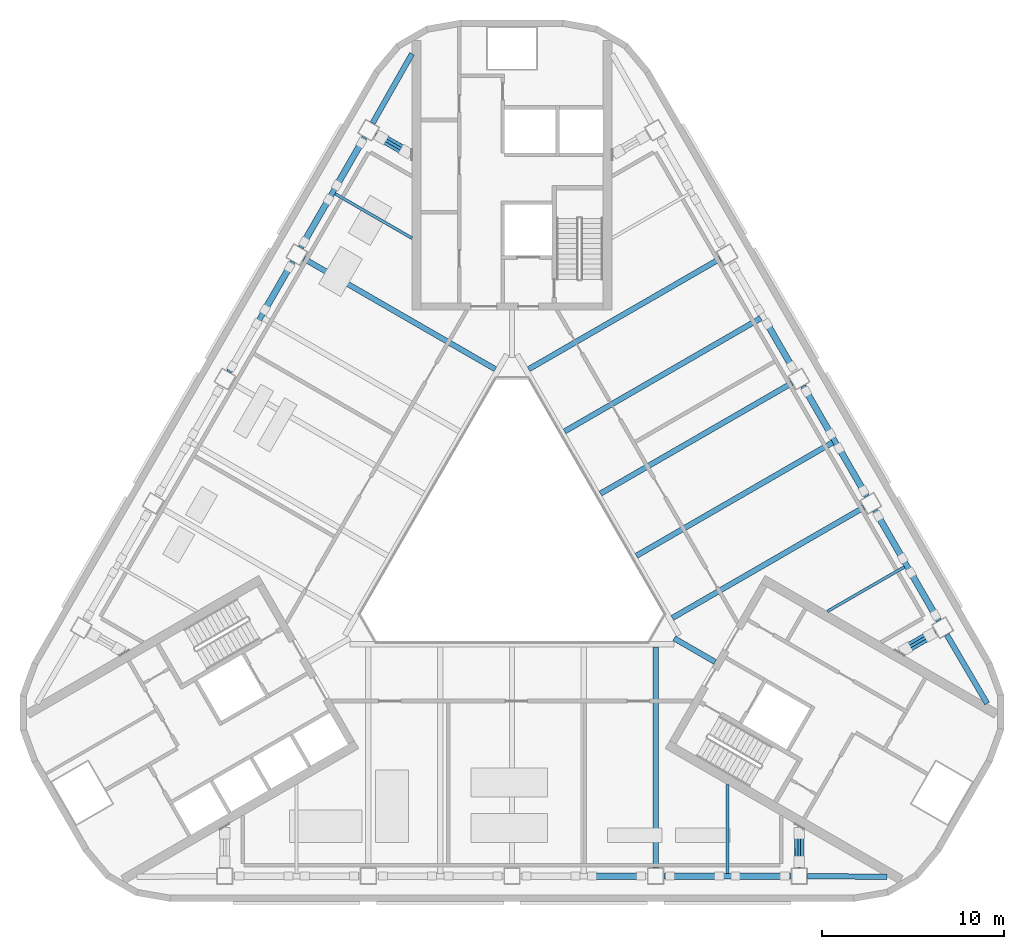
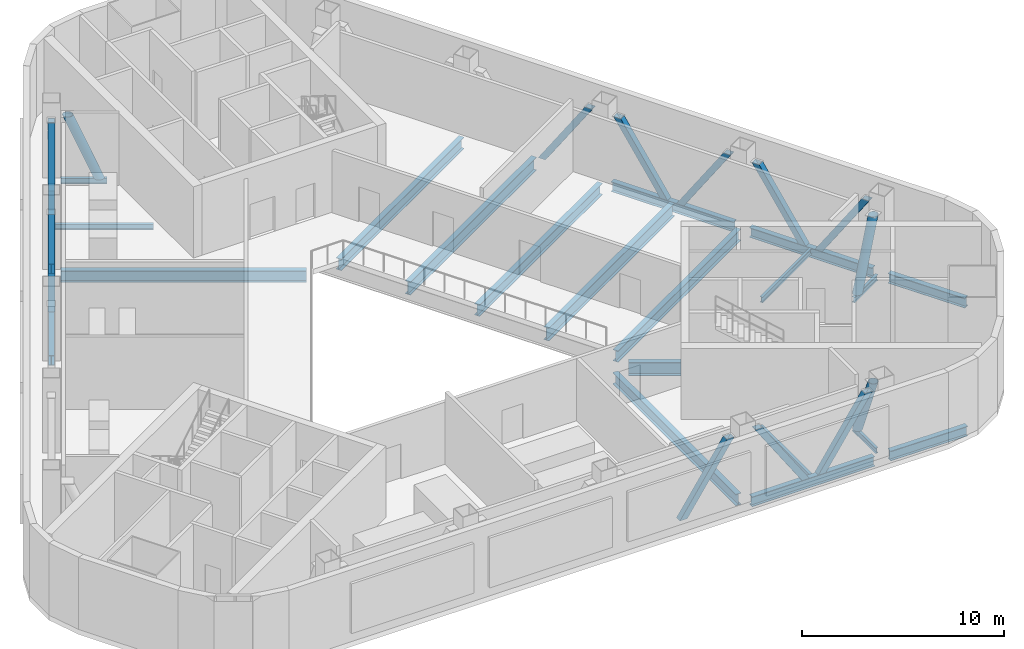
# One storey, part 2 of 14: 22 beams, 14 members.
"""IFC4 building model written with IfcOpenShell, lengths in metres."""

from ifc_helpers import new_model, si_unit, direction, frame, origin, origin_2d, place, context, subcontext, project, spatial, hollow_rectangle, hollow_circle, i_section, extrude, boolean, halfspace, material, material_profile, profile_set, type_object, element, save


model = new_model("IFC4")

# Units and contexts
model_context = context("Model", 3, precision=1e-05, world=origin(), true_north=direction((0.0, 1.0)))
body_context = subcontext(model_context, "Body", "Model", "MODEL_VIEW")
ifc_project = project(units=[si_unit("LENGTHUNIT", "METRE"), si_unit("AREAUNIT", "SQUARE_METRE"), si_unit("VOLUMEUNIT", "CUBIC_METRE"), si_unit("PLANEANGLEUNIT", "RADIAN"), si_unit("MASSUNIT", "GRAM", prefix="KILO")], contexts=[model_context])

# Site, building, storey
site_placement = place(None, origin())
site = spatial("IfcSite", under=ifc_project, at=site_placement, CompositionType="ELEMENT")
building_placement = place(site_placement, origin())
building = spatial("IfcBuilding", under=site, at=building_placement, Name="Apuvela Tower Hotel", CompositionType="ELEMENT")
storey_placement = place(building_placement, frame((0.0, 0.0, 142.10009765625)))
storey = spatial("IfcBuildingStorey", under=building, at=storey_placement, Name="L33 Plant", CompositionType="ELEMENT", Elevation=142.10009765625)

# Beams
ifc_material = material(Name="Steel S355", Category="steel")
ifc_material_profile_1 = material_profile(ifc_material, i_section(OverallWidth=0.300048828125, OverallDepth=0.68994140625, WebThickness=0.014404296875, FlangeThickness=0.027099609375, at=origin_2d()), Name="HE 700 A")
ifc_profile_set_1 = profile_set([ifc_material_profile_1], Name="Steel S355")
beam_type_1 = type_object("IfcBeamType", Name="STR-B floor beam HE 700 A", PredefinedType="BEAM", material=ifc_profile_set_1)
for number, where, z_axis, x_axis, name in (
    (1, (19.347900390625, 2.04833984375, -0.64501953125), (-0.866028751965, -0.499994200737, 0.0), (0.499994200737, -0.866028751965, 0.0), "Floor beam B6 NE3"),
    (2, (15.39794921875, 8.889892578125, -0.64501953125), (-0.866028751965, -0.499994200737, 0.0), (0.499994200737, -0.866028751965, 0.0), "Floor beam B6 NE5"),
):
    element("IfcBeam", number, at=place(storey_placement, frame(where, z_axis=z_axis, x_axis=x_axis)), inside=storey, type_object=beam_type_1, Name=name, PredefinedType="BEAM", context=body_context, shape_type="SweptSolid", body=[
        extrude(i_section(OverallWidth=0.300048828125, OverallDepth=0.68994140625, WebThickness=0.014404296875, FlangeThickness=0.027099609375, at=origin_2d()), origin(), (0.0, 0.0, 1.0), 12.157958984375),
    ])
for number, where, z_axis, x_axis, name in (
    (3, (11.447998046875, 15.731689453125, -0.64501953125), (-0.866025076934, -0.500000566121, 0.0), (0.500000566121, -0.866025076934, 0.0), "Floor beam B6 NE7"),
    (4, (-11.447998046875, 15.731689453125, -0.64501953125), (0.866025076934, -0.500000566121, 0.0), (0.500000566121, 0.866025076934, 0.0), "Floor beam B6 NW3"),
):
    element("IfcBeam", number, at=place(storey_placement, frame(where, z_axis=z_axis, x_axis=x_axis)), inside=storey, type_object=beam_type_1, Name=name, PredefinedType="BEAM", context=body_context, shape_type="SweptSolid", body=[
        extrude(i_section(OverallWidth=0.300048828125, OverallDepth=0.68994140625, WebThickness=0.014404296875, FlangeThickness=0.027099609375, at=origin_2d()), origin(), (0.0, 0.0, 1.0), 12.158203125),
    ])
beam_1_placement = place(storey_placement, frame((7.89990234375, -17.780029296875, -0.64501953125), z_axis=(0.0, 1.0, 0.0), x_axis=(-1.0, 0.0, 0.0)))
element("IfcBeam", 5, at=beam_1_placement, inside=storey, type_object=beam_type_1, Name="Floor beam B6 S7", PredefinedType="BEAM", context=body_context, shape_type="SweptSolid", body=[
    extrude(i_section(OverallWidth=0.300048828125, OverallDepth=0.68994140625, WebThickness=0.014404296875, FlangeThickness=0.027099609375, at=origin_2d()), origin(), (0.0, 0.0, 1.0), 12.157958984375),
])
ifc_material_profile_2 = material_profile(ifc_material, i_section(OverallWidth=0.300048828125, OverallDepth=0.7900390625, WebThickness=0.014892578125, FlangeThickness=0.028076171875, at=origin_2d()), Name="HE 800 A")
ifc_profile_set_2 = profile_set([ifc_material_profile_2], Name="Steel S355")
beam_type_2 = type_object("IfcBeamType", Name="STR-B floor beam HE 800 A", PredefinedType="BEAM", material=ifc_profile_set_2)
for number, where, z_axis, x_axis, name in (
    (6, (17.6328125, 5.619140625, -0.695068359375), (-0.866027636335, -0.499996133089, 0.0), (0.499996133089, -0.866027636335, 0.0), "Floor beam B5 NE4"),
    (7, (13.6826171875, 12.460693359375, -0.695068359375), (-0.866022737053, -0.500004618886, 0.0), (0.500004618886, -0.866022737053, 0.0), "Floor beam B5 NE6"),
):
    element("IfcBeam", number, at=place(storey_placement, frame(where, z_axis=z_axis, x_axis=x_axis)), inside=storey, type_object=beam_type_2, Name=name, PredefinedType="BEAM", context=body_context, shape_type="SweptSolid", body=[
        extrude(i_section(OverallWidth=0.300048828125, OverallDepth=0.7900390625, WebThickness=0.014892578125, FlangeThickness=0.028076171875, at=origin_2d()), origin(), (0.0, 0.0, 1.0), 12.4580078125),
    ])
ifc_material_profile_3 = material_profile(ifc_material, i_section(OverallWidth=0.159912109375, OverallDepth=0.330078125, WebThickness=0.007568359375, FlangeThickness=0.011474609375, at=origin_2d()), Name="IPE 330")
ifc_profile_set_3 = profile_set([ifc_material_profile_3], Name="Steel S355")
beam_type_3 = type_object("IfcBeamType", Name="STR-B floor beam IPE 330", PredefinedType="BEAM", material=ifc_profile_set_3)
beam_2_placement = place(storey_placement, frame((23.2978515625, -4.793212890625, -0.465087890625), z_axis=(-0.866000531106, -0.500043078269, 0.0), x_axis=(0.500043078269, -0.866000531106, 0.0)))
element("IfcBeam", 8, at=beam_2_placement, inside=storey, type_object=beam_type_3, Name="Floor beam B1 NE1", PredefinedType="BEAM", context=body_context, shape_type="SweptSolid", body=[
    extrude(i_section(OverallWidth=0.159912109375, OverallDepth=0.330078125, WebThickness=0.007568359375, FlangeThickness=0.011474609375, at=origin_2d()), origin(), (0.0, 0.0, 1.0), 2.306884765625),
])
beam_3_placement = place(storey_placement, frame((21.582763671875, -1.222412109375, -0.465087890625), z_axis=(-0.866015056278, -0.500017921979, 0.0), x_axis=(0.500017921979, -0.866015056278, 0.0)))
element("IfcBeam", 9, at=beam_3_placement, inside=storey, type_object=beam_type_3, Name="Floor beam B1 NE2", PredefinedType="BEAM", context=body_context, shape_type="SweptSolid", body=[
    extrude(i_section(OverallWidth=0.159912109375, OverallDepth=0.330078125, WebThickness=0.007568359375, FlangeThickness=0.011474609375, at=origin_2d()), origin(), (0.0, 0.0, 1.0), 4.887451171875),
])
beam_4_placement = place(storey_placement, frame((-7.497802734375, 22.5732421875, -0.465087890625), z_axis=(0.866000531106, -0.500043078269, 0.0), x_axis=(0.500043078269, 0.866000531106, 0.0)))
element("IfcBeam", 10, at=beam_4_placement, inside=storey, type_object=beam_type_3, Name="Floor beam B1 NW1", PredefinedType="BEAM", context=body_context, shape_type="SweptSolid", body=[
    extrude(i_section(OverallWidth=0.159912109375, OverallDepth=0.330078125, WebThickness=0.007568359375, FlangeThickness=0.011474609375, at=origin_2d()), origin(), (0.0, 0.0, 1.0), 2.306884765625),
])
beam_5_placement = place(storey_placement, frame((-9.732666015625, 19.302490234375, -0.465087890625), z_axis=(0.866015056278, -0.500017921979, 0.0), x_axis=(0.500017921979, 0.866015056278, 0.0)))
element("IfcBeam", 11, at=beam_5_placement, inside=storey, type_object=beam_type_3, Name="Floor beam B1 NW2", PredefinedType="BEAM", context=body_context, shape_type="SweptSolid", body=[
    extrude(i_section(OverallWidth=0.159912109375, OverallDepth=0.330078125, WebThickness=0.007568359375, FlangeThickness=0.011474609375, at=origin_2d()), origin(), (0.0, 0.0, 1.0), 4.887451171875),
])
beam_6_placement = place(storey_placement, frame((11.85009765625, -18.080078125, -0.465087890625), z_axis=(0.0, 1.0, 0.0), x_axis=(-1.0, 0.0, 0.0)))
element("IfcBeam", 12, at=beam_6_placement, inside=storey, type_object=beam_type_3, Name="Floor beam B1 S8", PredefinedType="BEAM", context=body_context, shape_type="SweptSolid", body=[
    extrude(i_section(OverallWidth=0.159912109375, OverallDepth=0.330078125, WebThickness=0.007568359375, FlangeThickness=0.011474609375, at=origin_2d()), origin(), (0.0, 0.0, 1.0), 4.8876953125),
])
beam_7_placement = place(storey_placement, frame((15.800048828125, -17.780029296875, -0.465087890625), z_axis=(0.0, 1.0, 0.0), x_axis=(-1.0, 0.0, 0.0)))
element("IfcBeam", 13, at=beam_7_placement, inside=storey, type_object=beam_type_3, Name="Floor beam B1 S9", PredefinedType="BEAM", context=body_context, shape_type="SweptSolid", body=[
    extrude(i_section(OverallWidth=0.159912109375, OverallDepth=0.330078125, WebThickness=0.007568359375, FlangeThickness=0.011474609375, at=origin_2d()), origin(), (0.0, 0.0, 1.0), 2.30712890625),
])
ifc_material_profile_4 = material_profile(ifc_material, i_section(OverallWidth=0.300048828125, OverallDepth=0.800048828125, WebThickness=0.017578125, FlangeThickness=0.032958984375, at=origin_2d()), Name="HE 800 B")
ifc_profile_set_4 = profile_set([ifc_material_profile_4], Name="Steel S355")
beam_type_4 = type_object("IfcBeamType", Name="STR-GT core tie beam HE 800 B", PredefinedType="BEAM", material=ifc_profile_set_4)
beam_8_placement = place(storey_placement, frame((11.171630859375, -6.449951171875, -0.7001953125), z_axis=(-0.865997922154, 0.500047596559, 0.0), x_axis=(-0.500047596559, -0.865997922154, 0.0)))
element("IfcBeam", 14, at=beam_8_placement, inside=storey, type_object=beam_type_4, Name="Core tie beam GT1 SE", PredefinedType="BEAM", context=body_context, shape_type="SweptSolid", body=[
    extrude(i_section(OverallWidth=0.300048828125, OverallDepth=0.800048828125, WebThickness=0.017578125, FlangeThickness=0.032958984375, at=origin_2d()), origin(), (0.0, 0.0, 1.0), 2.599853515625),
])
ifc_material_profile_5 = material_profile(ifc_material, i_section(OverallWidth=0.300048828125, OverallDepth=0.590087890625, WebThickness=0.012939453125, FlangeThickness=0.02490234375, at=origin_2d()), Name="HE 600 A")
ifc_profile_set_5 = profile_set([ifc_material_profile_5], Name="Steel S355")
beam_type_5 = type_object("IfcBeamType", Name="STR-SB spandrel beam HE 600 A", PredefinedType="SPANDREL", material=ifc_profile_set_5)
for number, where, z_axis, x_axis, name in (
    (15, (8.35009765625, -18.22998046875, -0.59521484375), (1.0, 0.0, 0.0), (0.0, 1.0, 0.0), "Spandrel beam SB2 S4"),
    (16, (23.462646484375, -4.178466796875, -0.59521484375), (-0.499995173006, 0.866028190633, 0.0), (-0.866028190633, -0.499995173006, 0.0), "Spandrel beam SB2 NE1"),
    (17, (19.5126953125, 2.6630859375, -0.59521484375), (-0.499995173006, 0.866028190633, 0.0), (-0.866028190633, -0.499995173006, 0.0), "Spandrel beam SB2 NE2"),
    (18, (-8.112548828125, 22.408447265625, -0.59521484375), (-0.499995173006, -0.866028190633, 0.0), (0.866028190633, -0.499995173006, 0.0), "Spandrel beam SB2 NW1"),
    (19, (-12.0625, 15.56689453125, -0.59521484375), (-0.499995173006, -0.866028190633, 0.0), (0.866028190633, -0.499995173006, 0.0), "Spandrel beam SB2 NW2"),
):
    element("IfcBeam", number, at=place(storey_placement, frame(where, z_axis=z_axis, x_axis=x_axis)), inside=storey, type_object=beam_type_5, Name=name, PredefinedType="SPANDREL", context=body_context, shape_type="SweptSolid", body=[
        extrude(i_section(OverallWidth=0.300048828125, OverallDepth=0.590087890625, WebThickness=0.012939453125, FlangeThickness=0.02490234375, at=origin_2d()), origin(), (0.0, 0.0, 1.0), 7.0),
    ])
for number, where, z_axis, x_axis, name in (
    (20, (16.25, -18.233154296875, -0.59521484375), (0.999976528586, -0.006851443461, 0.0), (0.006851443461, 0.999976528586, 0.0), "Spandrel beam SB2 S5-SE"),
    (21, (23.915283203125, -4.956298828125, -0.59521484375), (0.505951068275, -0.862562181244, 0.0), (0.862562181244, 0.505951068275, 0.0), "Spandrel beam SB2 NE1-SE"),
    (22, (-7.665283203125, 23.189453125, -0.59521484375), (0.494043860968, 0.869436980718, 0.0), (-0.869436980718, 0.494043860968, 0.0), "Spandrel beam SB2 NW1-N"),
):
    element("IfcBeam", number, at=place(storey_placement, frame(where, z_axis=z_axis, x_axis=x_axis)), inside=storey, type_object=beam_type_5, Name=name, PredefinedType="SPANDREL", context=body_context, shape_type="SweptSolid", body=[
        extrude(i_section(OverallWidth=0.300048828125, OverallDepth=0.590087890625, WebThickness=0.012939453125, FlangeThickness=0.02490234375, at=origin_2d()), origin(), (0.0, 0.0, 1.0), 4.3828125),
    ])

# Members
ifc_material_profile_6 = material_profile(ifc_material, hollow_rectangle(XDim=0.35009765625, YDim=0.35009765625, WallThickness=0.01611328125, at=origin_2d()), Name="SHS 350x350x16")
ifc_profile_set_6 = profile_set([ifc_material_profile_6], Name="Steel S355")
member_type_1 = type_object("IfcMemberType", Name="STR-T1 belt truss diagonal SHS 350x350x16", PredefinedType="BRACE", material=ifc_profile_set_6)
member_1_placement = place(storey_placement, frame((4.39990234375, -18.22998046875, -0.300048828125), z_axis=(0.556626653122, 0.0, 0.830762763389), x_axis=(-0.830762763389, 0.0, 0.556626653122)))
solid_1 = boolean("DIFFERENCE", boolean("DIFFERENCE", extrude(hollow_rectangle(XDim=0.35009765625, YDim=0.35009765625, WallThickness=0.01611328125, at=origin_2d()), frame((0.0, 0.0, -0.2373046875)), (0.0, 0.0, 1.0), 5.325439453125), halfspace(frame((0.0, 0.0, 0.02392578125), z_axis=(0.556626653122, 0.0, 0.830762763389), x_axis=(0.830762763389, 0.0, -0.556626653122)), True)), halfspace(frame((0.0, 0.0, 4.826904296875), z_axis=(0.556626653122, 0.0, 0.830762763389), x_axis=(0.830762763389, 0.0, -0.556626653122)), False))
element("IfcMember", 23, at=member_1_placement, inside=storey, type_object=member_type_1, Name="Belt truss diagonal BR2 S3", PredefinedType="BRACE", context=body_context, shape_type="SweptSolid", body=[
    boolean("UNION", boolean("DIFFERENCE", boolean("DIFFERENCE", extrude(hollow_rectangle(XDim=0.35009765625, YDim=0.35009765625, WallThickness=0.01611328125, at=origin_2d()), origin(), (0.0, 0.0, 1.0), 4.85107421875), halfspace(frame((0.0, 0.0, 0.02392578125), z_axis=(0.556626653122, 0.0, 0.830762763389), x_axis=(0.830762763389, 0.0, -0.556626653122)), True)), halfspace(frame((0.0, 0.0, 4.826904296875), z_axis=(0.556626653122, 0.0, 0.830762763389), x_axis=(0.830762763389, 0.0, -0.556626653122)), False)), solid_1),
])
member_2_placement = place(storey_placement, frame((11.39990234375, -18.22998046875, -0.300048828125), z_axis=(-0.556591917013, 0.0, 0.830786036182), x_axis=(0.830786036182, 0.0, 0.556591917013)))
solid_2 = boolean("DIFFERENCE", boolean("DIFFERENCE", extrude(hollow_rectangle(XDim=0.35009765625, YDim=0.35009765625, WallThickness=0.01611328125, at=origin_2d()), frame((0.0, 0.0, -0.2373046875)), (0.0, 0.0, 1.0), 5.3251953125), halfspace(frame((0.0, 0.0, 0.02392578125), z_axis=(0.556591917013, 0.0, 0.830786036182), x_axis=(0.830786036182, 0.0, -0.556591917013)), True)), halfspace(frame((0.0, 0.0, 4.82666015625), z_axis=(0.556591917013, 0.0, 0.830786036182), x_axis=(0.830786036182, 0.0, -0.556591917013)), False))
element("IfcMember", 24, at=member_2_placement, inside=storey, type_object=member_type_1, Name="Belt truss diagonal BR2 S4", PredefinedType="BRACE", context=body_context, shape_type="SweptSolid", body=[
    boolean("UNION", boolean("DIFFERENCE", boolean("DIFFERENCE", extrude(hollow_rectangle(XDim=0.35009765625, YDim=0.35009765625, WallThickness=0.01611328125, at=origin_2d()), origin(), (0.0, 0.0, 1.0), 4.850830078125), halfspace(frame((0.0, 0.0, 0.02392578125), z_axis=(0.556591917013, 0.0, 0.830786036182), x_axis=(0.830786036182, 0.0, -0.556591917013)), True)), halfspace(frame((0.0, 0.0, 4.82666015625), z_axis=(0.556591917013, 0.0, 0.830786036182), x_axis=(0.830786036182, 0.0, -0.556591917013)), False)), solid_2),
])
member_3_placement = place(storey_placement, frame((12.300048828125, -18.22998046875, -0.300048828125), z_axis=(0.556591917013, 0.0, 0.830786036182), x_axis=(-0.830786036182, 0.0, 0.556591917013)))
solid_3 = boolean("DIFFERENCE", boolean("DIFFERENCE", extrude(hollow_rectangle(XDim=0.35009765625, YDim=0.35009765625, WallThickness=0.01611328125, at=origin_2d()), frame((0.0, 0.0, -0.2373046875)), (0.0, 0.0, 1.0), 5.3251953125), halfspace(frame((0.0, 0.0, 0.02392578125), z_axis=(0.556591917013, 0.0, 0.830786036182), x_axis=(0.830786036182, 0.0, -0.556591917013)), True)), halfspace(frame((0.0, 0.0, 4.82666015625), z_axis=(0.556591917013, 0.0, 0.830786036182), x_axis=(0.830786036182, 0.0, -0.556591917013)), False))
element("IfcMember", 25, at=member_3_placement, inside=storey, type_object=member_type_1, Name="Belt truss diagonal BR2 S4", PredefinedType="BRACE", context=body_context, shape_type="SweptSolid", body=[
    boolean("UNION", boolean("DIFFERENCE", boolean("DIFFERENCE", extrude(hollow_rectangle(XDim=0.35009765625, YDim=0.35009765625, WallThickness=0.01611328125, at=origin_2d()), origin(), (0.0, 0.0, 1.0), 4.850830078125), halfspace(frame((0.0, 0.0, 0.02392578125), z_axis=(0.556591917013, 0.0, 0.830786036182), x_axis=(0.830786036182, 0.0, -0.556591917013)), True)), halfspace(frame((0.0, 0.0, 4.82666015625), z_axis=(0.556591917013, 0.0, 0.830786036182), x_axis=(0.830786036182, 0.0, -0.556591917013)), False)), solid_3),
])
member_4_placement = place(storey_placement, frame((21.9375, -1.537109375, -0.300048828125), z_axis=(0.278314953575, -0.48204351272, 0.830767620012), x_axis=(-0.415391647684, 0.71946133843, 0.556619404566)))
solid_4 = boolean("DIFFERENCE", boolean("DIFFERENCE", extrude(hollow_rectangle(XDim=0.35009765625, YDim=0.35009765625, WallThickness=0.01611328125, at=origin_2d()), frame((0.0, 0.0, -0.2373046875)), (0.0, 0.0, 1.0), 5.325439453125), halfspace(frame((0.0, 0.0, 0.02392578125), z_axis=(0.556619404566, 0.0, 0.830767620012), x_axis=(0.830767620012, 0.0, -0.556619404566)), True)), halfspace(frame((0.0, 0.0, 4.826904296875), z_axis=(0.556619404566, 0.0, 0.830767620012), x_axis=(0.830767620012, 0.0, -0.556619404566)), False))
element("IfcMember", 26, at=member_4_placement, inside=storey, type_object=member_type_1, Name="Belt truss diagonal BR2 NE1", PredefinedType="BRACE", context=body_context, shape_type="SweptSolid", body=[
    boolean("UNION", boolean("DIFFERENCE", boolean("DIFFERENCE", extrude(hollow_rectangle(XDim=0.35009765625, YDim=0.35009765625, WallThickness=0.01611328125, at=origin_2d()), origin(), (0.0, 0.0, 1.0), 4.85107421875), halfspace(frame((0.0, 0.0, 0.02392578125), z_axis=(0.556619404566, 0.0, 0.830767620012), x_axis=(0.830767620012, 0.0, -0.556619404566)), True)), halfspace(frame((0.0, 0.0, 4.826904296875), z_axis=(0.556619404566, 0.0, 0.830767620012), x_axis=(0.830767620012, 0.0, -0.556619404566)), False)), solid_4),
])
member_5_placement = place(storey_placement, frame((21.487548828125, -0.7578125, -0.300048828125), z_axis=(-0.278268522781, 0.482050264279, 0.830779255842), x_axis=(0.415341124785, -0.719503941615, 0.556602037422)))
solid_5 = boolean("DIFFERENCE", boolean("DIFFERENCE", extrude(hollow_rectangle(XDim=0.35009765625, YDim=0.35009765625, WallThickness=0.01611328125, at=origin_2d()), frame((0.0, 0.0, -0.2373046875)), (0.0, 0.0, 1.0), 5.3251953125), halfspace(frame((0.0, 0.0, 0.02392578125), z_axis=(0.556602037422, 0.0, 0.830779255842), x_axis=(0.830779255842, 0.0, -0.556602037422)), True)), halfspace(frame((0.0, 0.0, 4.82666015625), z_axis=(0.556602037422, 0.0, 0.830779255842), x_axis=(0.830779255842, 0.0, -0.556602037422)), False))
element("IfcMember", 27, at=member_5_placement, inside=storey, type_object=member_type_1, Name="Belt truss diagonal BR2 NE1", PredefinedType="BRACE", context=body_context, shape_type="SweptSolid", body=[
    boolean("UNION", boolean("DIFFERENCE", boolean("DIFFERENCE", extrude(hollow_rectangle(XDim=0.35009765625, YDim=0.35009765625, WallThickness=0.01611328125, at=origin_2d()), origin(), (0.0, 0.0, 1.0), 4.850830078125), halfspace(frame((0.0, 0.0, 0.02392578125), z_axis=(0.556602037422, 0.0, 0.830779255842), x_axis=(0.830779255842, 0.0, -0.556602037422)), True)), halfspace(frame((0.0, 0.0, 4.82666015625), z_axis=(0.556602037422, 0.0, 0.830779255842), x_axis=(0.830779255842, 0.0, -0.556602037422)), False)), solid_5),
])
member_6_placement = place(storey_placement, frame((17.987548828125, 5.304443359375, -0.300048828125), z_axis=(0.278321705496, -0.482004877673, 0.830787774434), x_axis=(-0.415434254601, 0.719460010183, 0.556589322437)))
solid_6 = boolean("DIFFERENCE", boolean("DIFFERENCE", extrude(hollow_rectangle(XDim=0.35009765625, YDim=0.35009765625, WallThickness=0.01611328125, at=origin_2d()), frame((0.0, 0.0, -0.2373046875)), (0.0, 0.0, 1.0), 5.3251953125), halfspace(frame((0.0, 0.0, 0.02392578125), z_axis=(0.556589322437, 0.0, 0.830787774434), x_axis=(0.830787774434, 0.0, -0.556589322437)), True)), halfspace(frame((0.0, 0.0, 4.82666015625), z_axis=(0.556589322437, 0.0, 0.830787774434), x_axis=(0.830787774434, 0.0, -0.556589322437)), False))
element("IfcMember", 28, at=member_6_placement, inside=storey, type_object=member_type_1, Name="Belt truss diagonal BR2 NE2", PredefinedType="BRACE", context=body_context, shape_type="SweptSolid", body=[
    boolean("UNION", boolean("DIFFERENCE", boolean("DIFFERENCE", extrude(hollow_rectangle(XDim=0.35009765625, YDim=0.35009765625, WallThickness=0.01611328125, at=origin_2d()), origin(), (0.0, 0.0, 1.0), 4.850830078125), halfspace(frame((0.0, 0.0, 0.02392578125), z_axis=(0.556589322437, 0.0, 0.830787774434), x_axis=(0.830787774434, 0.0, -0.556589322437)), True)), halfspace(frame((0.0, 0.0, 4.82666015625), z_axis=(0.556589322437, 0.0, 0.830787774434), x_axis=(0.830787774434, 0.0, -0.556589322437)), False)), solid_6),
])
member_7_placement = place(storey_placement, frame((17.53759765625, 6.083984375, -0.300048828125), z_axis=(-0.278321705496, 0.482004877673, 0.830787774434), x_axis=(0.415434254601, -0.719460010183, 0.556589322437)))
solid_7 = boolean("DIFFERENCE", boolean("DIFFERENCE", extrude(hollow_rectangle(XDim=0.35009765625, YDim=0.35009765625, WallThickness=0.01611328125, at=origin_2d()), frame((0.0, 0.0, -0.2373046875)), (0.0, 0.0, 1.0), 5.3251953125), halfspace(frame((0.0, 0.0, 0.02392578125), z_axis=(0.556589322437, 0.0, 0.830787774434), x_axis=(0.830787774434, 0.0, -0.556589322437)), True)), halfspace(frame((0.0, 0.0, 4.82666015625), z_axis=(0.556589322437, 0.0, 0.830787774434), x_axis=(0.830787774434, 0.0, -0.556589322437)), False))
element("IfcMember", 29, at=member_7_placement, inside=storey, type_object=member_type_1, Name="Belt truss diagonal BR2 NE2", PredefinedType="BRACE", context=body_context, shape_type="SweptSolid", body=[
    boolean("UNION", boolean("DIFFERENCE", boolean("DIFFERENCE", extrude(hollow_rectangle(XDim=0.35009765625, YDim=0.35009765625, WallThickness=0.01611328125, at=origin_2d()), origin(), (0.0, 0.0, 1.0), 4.850830078125), halfspace(frame((0.0, 0.0, 0.02392578125), z_axis=(0.556589322437, 0.0, 0.830787774434), x_axis=(0.830787774434, 0.0, -0.556589322437)), True)), halfspace(frame((0.0, 0.0, 4.82666015625), z_axis=(0.556589322437, 0.0, 0.830787774434), x_axis=(0.830787774434, 0.0, -0.556589322437)), False)), solid_7),
])
member_8_placement = place(storey_placement, frame((14.03759765625, 12.14599609375, -0.300048828125), z_axis=(0.278321705496, -0.482004877673, 0.830787774434), x_axis=(-0.415434254601, 0.719460010183, 0.556589322437)))
solid_8 = boolean("DIFFERENCE", boolean("DIFFERENCE", extrude(hollow_rectangle(XDim=0.35009765625, YDim=0.35009765625, WallThickness=0.01611328125, at=origin_2d()), frame((0.0, 0.0, -0.2373046875)), (0.0, 0.0, 1.0), 5.3251953125), halfspace(frame((0.0, 0.0, 0.02392578125), z_axis=(0.556589322437, 0.0, 0.830787774434), x_axis=(0.830787774434, 0.0, -0.556589322437)), True)), halfspace(frame((0.0, 0.0, 4.82666015625), z_axis=(0.556589322437, 0.0, 0.830787774434), x_axis=(0.830787774434, 0.0, -0.556589322437)), False))
element("IfcMember", 30, at=member_8_placement, inside=storey, type_object=member_type_1, Name="Belt truss diagonal BR2 NE3", PredefinedType="BRACE", context=body_context, shape_type="SweptSolid", body=[
    boolean("UNION", boolean("DIFFERENCE", boolean("DIFFERENCE", extrude(hollow_rectangle(XDim=0.35009765625, YDim=0.35009765625, WallThickness=0.01611328125, at=origin_2d()), origin(), (0.0, 0.0, 1.0), 4.850830078125), halfspace(frame((0.0, 0.0, 0.02392578125), z_axis=(0.556589322437, 0.0, 0.830787774434), x_axis=(0.830787774434, 0.0, -0.556589322437)), True)), halfspace(frame((0.0, 0.0, 4.82666015625), z_axis=(0.556589322437, 0.0, 0.830787774434), x_axis=(0.830787774434, 0.0, -0.556589322437)), False)), solid_8),
])
member_9_placement = place(storey_placement, frame((-9.6376953125, 19.76708984375, -0.300048828125), z_axis=(0.278314953575, 0.48204351272, 0.830767620012), x_axis=(-0.415391647684, -0.71946133843, 0.556619404566)))
solid_9 = boolean("DIFFERENCE", boolean("DIFFERENCE", extrude(hollow_rectangle(XDim=0.35009765625, YDim=0.35009765625, WallThickness=0.01611328125, at=origin_2d()), frame((0.0, 0.0, -0.2373046875)), (0.0, 0.0, 1.0), 5.325439453125), halfspace(frame((0.0, 0.0, 0.02392578125), z_axis=(0.556619404566, 0.0, 0.830767620012), x_axis=(0.830767620012, 0.0, -0.556619404566)), True)), halfspace(frame((0.0, 0.0, 4.826904296875), z_axis=(0.556619404566, 0.0, 0.830767620012), x_axis=(0.830767620012, 0.0, -0.556619404566)), False))
element("IfcMember", 31, at=member_9_placement, inside=storey, type_object=member_type_1, Name="Belt truss diagonal BR2 NW1", PredefinedType="BRACE", context=body_context, shape_type="SweptSolid", body=[
    boolean("UNION", boolean("DIFFERENCE", boolean("DIFFERENCE", extrude(hollow_rectangle(XDim=0.35009765625, YDim=0.35009765625, WallThickness=0.01611328125, at=origin_2d()), origin(), (0.0, 0.0, 1.0), 4.85107421875), halfspace(frame((0.0, 0.0, 0.02392578125), z_axis=(0.556619404566, 0.0, 0.830767620012), x_axis=(0.830767620012, 0.0, -0.556619404566)), True)), halfspace(frame((0.0, 0.0, 4.826904296875), z_axis=(0.556619404566, 0.0, 0.830767620012), x_axis=(0.830767620012, 0.0, -0.556619404566)), False)), solid_9),
])
member_10_placement = place(storey_placement, frame((-10.087646484375, 18.98779296875, -0.300048828125), z_axis=(-0.278268522781, -0.482050264279, 0.830779255842), x_axis=(0.415341124785, 0.719503941615, 0.556602037422)))
solid_10 = boolean("DIFFERENCE", boolean("DIFFERENCE", extrude(hollow_rectangle(XDim=0.35009765625, YDim=0.35009765625, WallThickness=0.01611328125, at=origin_2d()), frame((0.0, 0.0, -0.2373046875)), (0.0, 0.0, 1.0), 5.3251953125), halfspace(frame((0.0, 0.0, 0.02392578125), z_axis=(0.556602037422, 0.0, 0.830779255842), x_axis=(0.830779255842, 0.0, -0.556602037422)), True)), halfspace(frame((0.0, 0.0, 4.82666015625), z_axis=(0.556602037422, 0.0, 0.830779255842), x_axis=(0.830779255842, 0.0, -0.556602037422)), False))
element("IfcMember", 32, at=member_10_placement, inside=storey, type_object=member_type_1, Name="Belt truss diagonal BR2 NW1", PredefinedType="BRACE", context=body_context, shape_type="SweptSolid", body=[
    boolean("UNION", boolean("DIFFERENCE", boolean("DIFFERENCE", extrude(hollow_rectangle(XDim=0.35009765625, YDim=0.35009765625, WallThickness=0.01611328125, at=origin_2d()), origin(), (0.0, 0.0, 1.0), 4.850830078125), halfspace(frame((0.0, 0.0, 0.02392578125), z_axis=(0.556602037422, 0.0, 0.830779255842), x_axis=(0.830779255842, 0.0, -0.556602037422)), True)), halfspace(frame((0.0, 0.0, 4.82666015625), z_axis=(0.556602037422, 0.0, 0.830779255842), x_axis=(0.830779255842, 0.0, -0.556602037422)), False)), solid_10),
])
member_11_placement = place(storey_placement, frame((-13.587646484375, 12.925537109375, -0.300048828125), z_axis=(0.278314953575, 0.48204351272, 0.830767620012), x_axis=(-0.415391647684, -0.71946133843, 0.556619404566)))
solid_11 = boolean("DIFFERENCE", boolean("DIFFERENCE", extrude(hollow_rectangle(XDim=0.35009765625, YDim=0.35009765625, WallThickness=0.01611328125, at=origin_2d()), frame((0.0, 0.0, -0.2373046875)), (0.0, 0.0, 1.0), 5.325439453125), halfspace(frame((0.0, 0.0, 0.02392578125), z_axis=(0.556619404566, 0.0, 0.830767620012), x_axis=(0.830767620012, 0.0, -0.556619404566)), True)), halfspace(frame((0.0, 0.0, 4.826904296875), z_axis=(0.556619404566, 0.0, 0.830767620012), x_axis=(0.830767620012, 0.0, -0.556619404566)), False))
element("IfcMember", 33, at=member_11_placement, inside=storey, type_object=member_type_1, Name="Belt truss diagonal BR2 NW2", PredefinedType="BRACE", context=body_context, shape_type="SweptSolid", body=[
    boolean("UNION", boolean("DIFFERENCE", boolean("DIFFERENCE", extrude(hollow_rectangle(XDim=0.35009765625, YDim=0.35009765625, WallThickness=0.01611328125, at=origin_2d()), origin(), (0.0, 0.0, 1.0), 4.85107421875), halfspace(frame((0.0, 0.0, 0.02392578125), z_axis=(0.556619404566, 0.0, 0.830767620012), x_axis=(0.830767620012, 0.0, -0.556619404566)), True)), halfspace(frame((0.0, 0.0, 4.826904296875), z_axis=(0.556619404566, 0.0, 0.830767620012), x_axis=(0.830767620012, 0.0, -0.556619404566)), False)), solid_11),
])
ifc_material_profile_7 = material_profile(ifc_material, hollow_circle(Radius=0.25390625, WallThickness=0.02001953125, at=origin_2d()), Name="CHS 508x20")
ifc_profile_set_7 = profile_set([ifc_material_profile_7], Name="Steel S355")
member_type_2 = type_object("IfcMemberType", Name="STR-T1 outrigger truss diagonal CHS 508x20", PredefinedType="BRACE", material=ifc_profile_set_7)
member_12_placement = place(storey_placement, frame((21.64306640625, -5.74853515625, -0.300048828125), z_axis=(0.326418382497, 0.188411260694, 0.926257111396), x_axis=(-0.802211647734, -0.463042879927, 0.376892244001)))
solid_12 = boolean("DIFFERENCE", boolean("DIFFERENCE", extrude(hollow_circle(Radius=0.25390625, WallThickness=0.02001953125, at=origin_2d()), frame((0.0, 0.0, -0.223388671875)), (0.0, 0.0, 1.0), 4.587890625), halfspace(frame((0.0, 0.0, 0.021484375), z_axis=(0.376892244001, 0.0, 0.926257111396), x_axis=(0.926257111396, 0.0, -0.376892244001)), True)), halfspace(frame((0.0, 0.0, 4.119873046875), z_axis=(0.376892244001, 0.0, 0.926257111396), x_axis=(0.926257111396, 0.0, -0.376892244001)), False))
element("IfcMember", 34, at=member_12_placement, inside=storey, type_object=member_type_2, Name="Outrigger diagonal OD2 NE1", PredefinedType="BRACE", context=body_context, shape_type="SweptSolid", body=[
    boolean("UNION", boolean("DIFFERENCE", boolean("DIFFERENCE", extrude(hollow_circle(Radius=0.25390625, WallThickness=0.02001953125, at=origin_2d()), origin(), (0.0, 0.0, 1.0), 4.141357421875), halfspace(frame((0.0, 0.0, 0.021484375), z_axis=(0.376892244001, 0.0, 0.926257111396), x_axis=(0.926257111396, 0.0, -0.376892244001)), True)), halfspace(frame((0.0, 0.0, 4.119873046875), z_axis=(0.376892244001, 0.0, 0.926257111396), x_axis=(0.926257111396, 0.0, -0.376892244001)), False)), solid_12),
])
member_13_placement = place(storey_placement, frame((-5.843017578125, 21.617919921875, -0.300048828125), z_axis=(-0.326418382497, 0.188411260694, 0.926257111396), x_axis=(0.802211647734, -0.463042879927, 0.376892244001)))
solid_13 = boolean("DIFFERENCE", boolean("DIFFERENCE", extrude(hollow_circle(Radius=0.25390625, WallThickness=0.02001953125, at=origin_2d()), frame((0.0, 0.0, -0.223388671875)), (0.0, 0.0, 1.0), 4.587890625), halfspace(frame((0.0, 0.0, 0.021484375), z_axis=(0.376892244001, 0.0, 0.926257111396), x_axis=(0.926257111396, 0.0, -0.376892244001)), True)), halfspace(frame((0.0, 0.0, 4.119873046875), z_axis=(0.376892244001, 0.0, 0.926257111396), x_axis=(0.926257111396, 0.0, -0.376892244001)), False))
element("IfcMember", 35, at=member_13_placement, inside=storey, type_object=member_type_2, Name="Outrigger diagonal OD2 NW1", PredefinedType="BRACE", context=body_context, shape_type="SweptSolid", body=[
    boolean("UNION", boolean("DIFFERENCE", boolean("DIFFERENCE", extrude(hollow_circle(Radius=0.25390625, WallThickness=0.02001953125, at=origin_2d()), origin(), (0.0, 0.0, 1.0), 4.141357421875), halfspace(frame((0.0, 0.0, 0.021484375), z_axis=(0.376892244001, 0.0, 0.926257111396), x_axis=(0.926257111396, 0.0, -0.376892244001)), True)), halfspace(frame((0.0, 0.0, 4.119873046875), z_axis=(0.376892244001, 0.0, 0.926257111396), x_axis=(0.926257111396, 0.0, -0.376892244001)), False)), solid_13),
])
member_14_placement = place(storey_placement, frame((15.800048828125, -15.869140625, -0.300048828125), z_axis=(0.0, -0.376883003453, 0.926260871304), x_axis=(0.0, 0.926260871304, 0.376883003453)))
solid_14 = boolean("DIFFERENCE", boolean("DIFFERENCE", extrude(hollow_circle(Radius=0.25390625, WallThickness=0.02001953125, at=origin_2d()), frame((0.0, 0.0, -0.223388671875)), (0.0, 0.0, 1.0), 4.587890625), halfspace(frame((0.0, 0.0, 0.021484375), z_axis=(0.376883003453, 0.0, 0.926260871304), x_axis=(0.926260871304, 0.0, -0.376883003453)), True)), halfspace(frame((0.0, 0.0, 4.11962890625), z_axis=(0.376883003453, 0.0, 0.926260871304), x_axis=(0.926260871304, 0.0, -0.376883003453)), False))
element("IfcMember", 36, at=member_14_placement, inside=storey, type_object=member_type_2, Name="Outrigger diagonal OD2 S5", PredefinedType="BRACE", context=body_context, shape_type="SweptSolid", body=[
    boolean("UNION", boolean("DIFFERENCE", boolean("DIFFERENCE", extrude(hollow_circle(Radius=0.25390625, WallThickness=0.02001953125, at=origin_2d()), origin(), (0.0, 0.0, 1.0), 4.141357421875), halfspace(frame((0.0, 0.0, 0.021484375), z_axis=(0.376883003453, 0.0, 0.926260871304), x_axis=(0.926260871304, 0.0, -0.376883003453)), True)), halfspace(frame((0.0, 0.0, 4.11962890625), z_axis=(0.376883003453, 0.0, 0.926260871304), x_axis=(0.926260871304, 0.0, -0.376883003453)), False)), solid_14),
])

save(model, "model.ifc")
